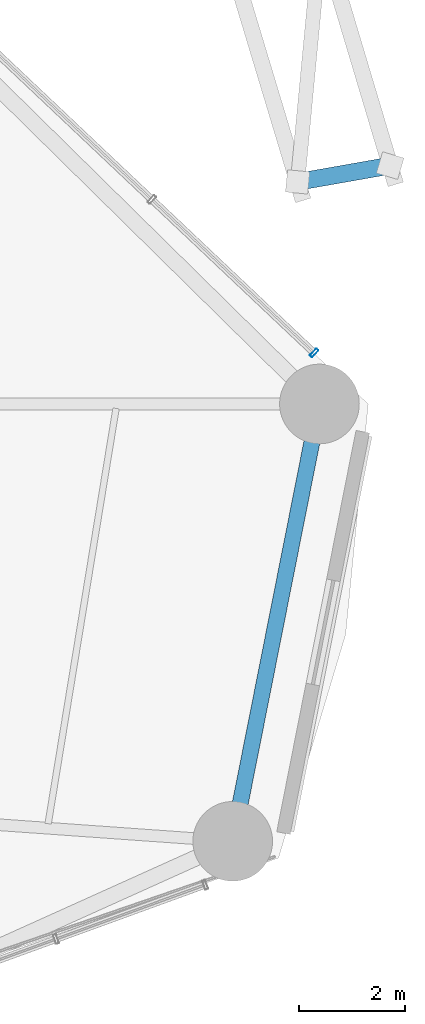
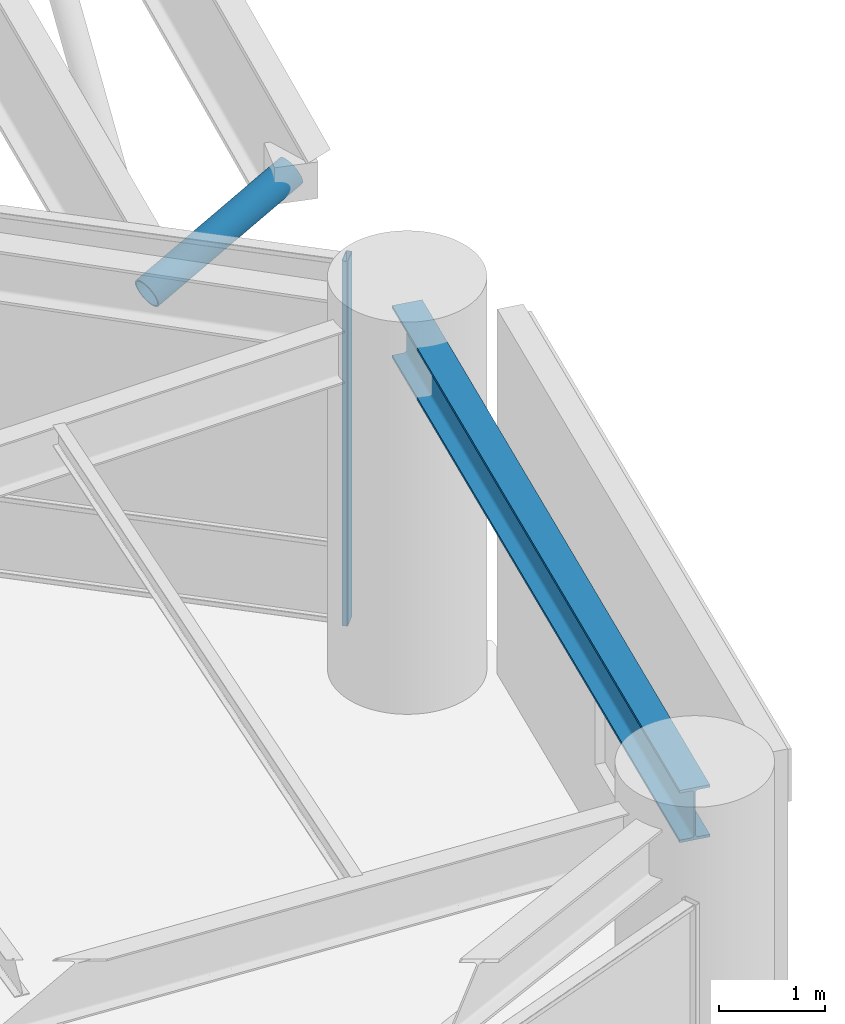
# One storey, part 27 of 55: 2 members, 1 beam, 1 element without a shape of its own.
"""IFC4 building model written with IfcOpenShell, lengths in metres."""

from ifc_helpers import new_model, si_unit, direction, frame, origin, origin_2d, place, context, subcontext, project, spatial, hollow_rectangle, hollow_circle, i_section, extrude, material, layer, layer_set, material_profile, profile_set, type_object, element, aggregate, save


model = new_model("IFC4")

# Units and contexts
model_context = context("Model", 3, precision=1e-05, world=origin(), true_north=direction((0.0, 1.0)))
body_context = subcontext(model_context, "Body", "Model", "MODEL_VIEW")
ifc_project = project(units=[si_unit("LENGTHUNIT", "METRE"), si_unit("AREAUNIT", "SQUARE_METRE"), si_unit("VOLUMEUNIT", "CUBIC_METRE"), si_unit("PLANEANGLEUNIT", "RADIAN"), si_unit("MASSUNIT", "GRAM", prefix="KILO")], contexts=[model_context])

# Site, building, storey
site_placement = place(None, origin())
site = spatial("IfcSite", under=ifc_project, at=site_placement, CompositionType="ELEMENT")
building_placement = place(site_placement, origin())
building = spatial("IfcBuilding", under=site, at=building_placement, Name="Kelanora Arch Commons", CompositionType="ELEMENT")
storey_placement = place(building_placement, frame((0.0, 0.0, 4.5)))
storey = spatial("IfcBuildingStorey", under=building, at=storey_placement, Name="L01", CompositionType="ELEMENT", Elevation=4.5)

# Beam
ifc_material_1 = material(Name="Steel S355", Category="steel")
ifc_material_profile_1 = material_profile(ifc_material_1, i_section(OverallWidth=0.300048828125, OverallDepth=0.60009765625, WebThickness=0.015380859375, FlangeThickness=0.030029296875, FilletRadius=0.027099609375, at=origin_2d()), Name="HEB600")
ifc_profile_set_1 = profile_set([ifc_material_profile_1], Name="Steel S355")
beam_type = type_object("IfcBeamType", Name="BM-SPN-Z1", PredefinedType="SPANDREL", material=ifc_profile_set_1)
beam_placement = place(storey_placement, frame((99.447021484375, 49.76416015625, 3.89990234375), z_axis=(0.194499827256, 0.980902552345, 0.0), x_axis=(-0.980902552345, 0.194499827256, 0.0)))
element("IfcBeam", 1, at=beam_placement, inside=storey, type_object=beam_type, Name="Perimeter Spandrel Beam BS-34 L01", PredefinedType="SPANDREL", context=body_context, shape_type="SweptSolid", body=[
    extrude(i_section(OverallWidth=0.300048828125, OverallDepth=0.60009765625, WebThickness=0.015380859375, FlangeThickness=0.030029296875, FilletRadius=0.027099609375, at=origin_2d()), origin(), (0.0, 0.0, 1.0), 8.396240234375),
])

# Curtain wall, member
ifc_material_2 = material(Name="Terracotta ceramic-fritted low-E glass and aluminium", Category="masonry")
ifc_layer = layer(ifc_material_2, 0.2099609375)
ifc_layer_set = layer_set([ifc_layer], Name="Terracotta ceramic-fritted low-E glass and aluminium")
curtain_wall_type = type_object("IfcCurtainWallType", Name="CW-SYS-04", PredefinedType="NOTDEFINED", material=ifc_layer_set)
curtain_wall_placement = place(storey_placement, origin())
curtain_wall = element("IfcCurtainWall", 2, at=curtain_wall_placement, inside=storey, type_object=curtain_wall_type, Name="Unitised Curtain Wall L01-B00", PredefinedType="NOTDEFINED")
ifc_material_3 = material(Name="Powder-coated aluminium terracotta", Category="masonry")
ifc_material_profile_2 = material_profile(ifc_material_3, hollow_rectangle(XDim=0.179931640625, YDim=0.06005859375, WallThickness=0.0048828125, InnerFilletRadius=0.0048828125, OuterFilletRadius=0.010009765625, at=origin_2d()), Name="CWM180x60")
ifc_profile_set_2 = profile_set([ifc_material_profile_2], Name="Powder-coated aluminium terracotta")
member_type_1 = type_object("IfcMemberType", Name="CWM-HVY", PredefinedType="MULLION", material=ifc_profile_set_2)
member_1_placement = place(storey_placement, frame((100.981201171875, 58.96240234375, 0.0), z_axis=(0.0, 0.0, 1.0), x_axis=(-0.686720224308, -0.72692182078, 0.0)))
member_1 = element("IfcMember", 3, at=member_1_placement, type_object=member_type_1, Name="CW-04 mullion 1", PredefinedType="MULLION", context=body_context, shape_type="SweptSolid", body=[
    extrude(hollow_rectangle(XDim=0.179931640625, YDim=0.06005859375, WallThickness=0.0048828125, InnerFilletRadius=0.0048828125, OuterFilletRadius=0.010009765625, at=origin_2d()), origin(), (0.0, 0.0, 1.0), 4.18505859375),
])
aggregate(curtain_wall, [member_1])

# Member
ifc_material_profile_3 = material_profile(ifc_material_1, hollow_circle(Radius=0.161865234375, WallThickness=0.01611328125, at=origin_2d()), Name="CHS323.9x16")
ifc_profile_set_3 = profile_set([ifc_material_profile_3], Name="Steel S355")
member_type_2 = type_object("IfcMemberType", Name="MEM-MKT-CHORD", PredefinedType="CHORD", material=ifc_profile_set_3)
member_2_placement = place(storey_placement, frame((100.668701171875, 62.181396484375, 1.91259765625), z_axis=(0.930677747758, 0.16412988996, 0.326956127102), x_axis=(-0.173675160457, 0.984802994837, 0.0)))
element("IfcMember", 4, at=member_2_placement, inside=storey, type_object=member_type_2, Name="Giant Arch Transverse Strut 01", PredefinedType="CHORD", context=body_context, shape_type="SweptSolid", body=[
    extrude(hollow_circle(Radius=0.161865234375, WallThickness=0.01611328125, at=origin_2d()), origin(), (0.0, 0.0, 1.0), 1.872802734375),
])

save(model, "model.ifc")
